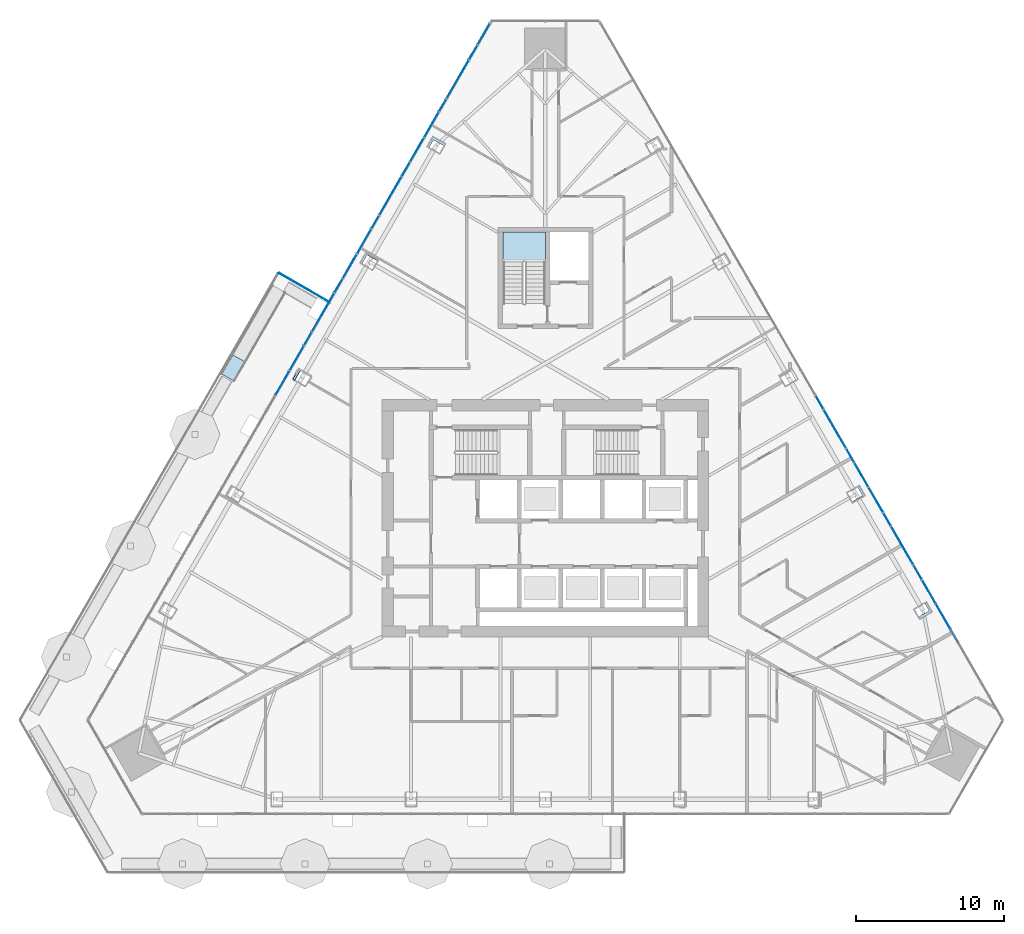
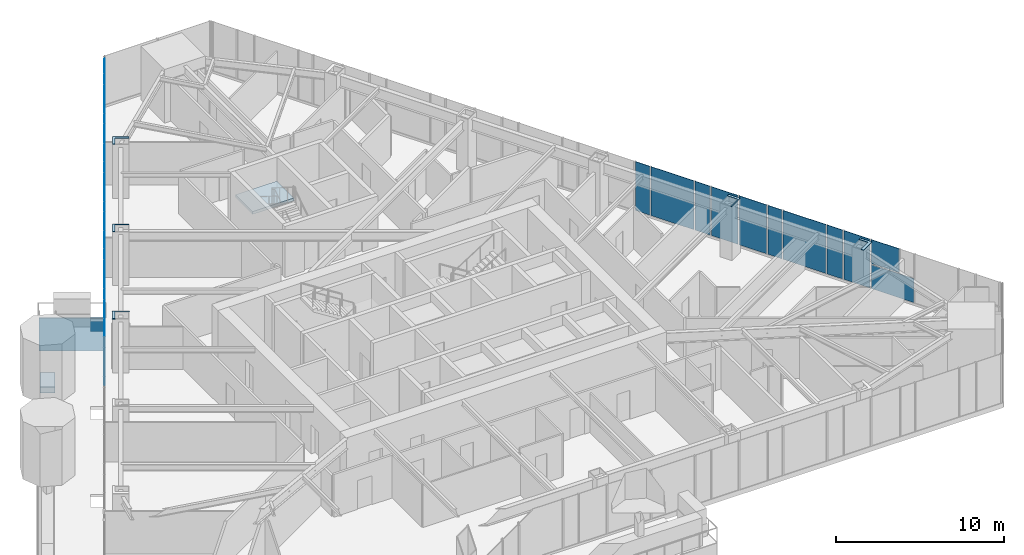
# One storey, part 21 of 32: 33 plates, 2 slabs, 3 elements without a shape of their own.
"""IFC4 building model written with IfcOpenShell, lengths in metres."""

from ifc_helpers import new_model, si_unit, direction, frame, origin, place, context, subcontext, project, spatial, polyline, outline, extrude, material, layer, layer_set, type_object, element, aggregate, save


model = new_model("IFC4")

# Units and contexts
model_context = context("Model", 3, precision=1e-05, world=origin(), true_north=direction((0.0, 1.0)))
body_context = subcontext(model_context, "Body", "Model", "MODEL_VIEW")
ifc_project = project(units=[si_unit("LENGTHUNIT", "METRE"), si_unit("AREAUNIT", "SQUARE_METRE"), si_unit("VOLUMEUNIT", "CUBIC_METRE"), si_unit("PLANEANGLEUNIT", "RADIAN"), si_unit("MASSUNIT", "GRAM", prefix="KILO")], contexts=[model_context])

# Site, building, storey
site_placement = place(None, origin())
site = spatial("IfcSite", under=ifc_project, at=site_placement, CompositionType="ELEMENT")
building_placement = place(site_placement, origin())
building = spatial("IfcBuilding", under=site, at=building_placement, Name="Firuza Gate Tower and Library", CompositionType="ELEMENT")
storey_placement = place(building_placement, frame((0.0, 0.0, 163.60009765625)))
storey = spatial("IfcBuildingStorey", under=building, at=storey_placement, Name="L37", CompositionType="ELEMENT", Elevation=163.60009765625)

# Plates
ifc_material_1 = material(Name="Steel S355", Category="steel")
ifc_layer_1 = layer(ifc_material_1, 0.030029296875)
ifc_layer_set_1 = layer_set([ifc_layer_1], Name="Column infill plate 30 Steel S355")
plate_type_1 = type_object("IfcPlateType", Name="Column infill plate 30 Steel S355", PredefinedType="SHEET", material=ifc_layer_set_1)
placement_1 = place(storey_placement, frame((0.0, 0.0, 3.89990234375)))
element("IfcPlate", 1, at=placement_1, inside=storey, type_object=plate_type_1, Name="Infill plate L37:E1", PredefinedType="SHEET", context=body_context, shape_type="SweptSolid", body=[
    extrude(outline(polyline([(100.6884765625, 69.3837890625), (100.550537109375, 69.30419921875), (100.8583984375, 68.770751953125), (100.13037109375, 68.3505859375), (100.222412109375, 68.191162109375), (101.088623046875, 68.691162109375), (100.6884765625, 69.3837890625)])), origin(), (0.0, 0.0, 1.0), 0.030029296875),
])
element("IfcPlate", 2, at=placement_1, inside=storey, type_object=plate_type_1, Name="Infill plate L37:E2", PredefinedType="SHEET", context=body_context, shape_type="SweptSolid", body=[
    extrude(outline(polyline([(96.16162109375, 77.224853515625), (96.0234375, 77.145263671875), (96.37744140625, 76.531982421875), (95.6494140625, 76.11181640625), (95.695556640625, 76.031982421875), (96.5615234375, 76.531982421875), (96.16162109375, 77.224853515625)])), origin(), (0.0, 0.0, 1.0), 0.030029296875),
])
element("IfcPlate", 3, at=placement_1, inside=storey, type_object=plate_type_1, Name="Infill plate L37:W1", PredefinedType="SHEET", context=body_context, shape_type="SweptSolid", body=[
    extrude(outline(polyline([(67.01953125, 100.054931640625), (67.157470703125, 99.975341796875), (67.46533203125, 100.508544921875), (68.193359375, 100.08837890625), (68.285400390625, 100.247802734375), (67.41943359375, 100.747802734375), (67.01953125, 100.054931640625)])), origin(), (0.0, 0.0, 1.0), 0.030029296875),
])
element("IfcPlate", 4, at=placement_1, inside=storey, type_object=plate_type_1, Name="Infill plate L37:W2", PredefinedType="SHEET", context=body_context, shape_type="SweptSolid", body=[
    extrude(outline(polyline([(62.492431640625, 92.214111328125), (62.630615234375, 92.13427734375), (62.984375, 92.747314453125), (63.71240234375, 92.3271484375), (63.758544921875, 92.40673828125), (62.892333984375, 92.90673828125), (62.492431640625, 92.214111328125)])), origin(), (0.0, 0.0, 1.0), 0.030029296875),
])
element("IfcPlate", 5, at=placement_1, inside=storey, type_object=plate_type_1, Name="Infill plate L37:W3", PredefinedType="SHEET", context=body_context, shape_type="SweptSolid", body=[
    extrude(outline(polyline([(57.96533203125, 84.373046875), (58.103515625, 84.293212890625), (58.50341796875, 84.986083984375), (59.2314453125, 84.56591796875), (59.2314453125, 84.56591796875), (58.365478515625, 85.06591796875), (57.96533203125, 84.373046875)])), origin(), (0.0, 0.0, 1.0), 0.030029296875),
])

# Curtain wall, plates
ifc_material_2 = material(Name="Aluminium 6063-T6", Category="aluminium")
ifc_layer_2 = layer(ifc_material_2, 0.14990234375)
ifc_layer_set_2 = layer_set([ifc_layer_2], Name="Unitised curtain wall, hotel")
curtain_wall_type = type_object("IfcCurtainWallType", Name="Unitised curtain wall, hotel", PredefinedType="NOTDEFINED", material=ifc_layer_set_2)
placement_2 = place(storey_placement, origin())
curtain_wall_1 = element("IfcCurtainWall", 6, at=placement_2, inside=storey, type_object=curtain_wall_type, Name="CW2 L37 E face", PredefinedType="NOTDEFINED")
ifc_material_3 = material(Name="Fritted glass", Category="glass")
ifc_layer_3 = layer(ifc_material_3, 0.030029296875)
ifc_layer_set_3 = layer_set([ifc_layer_3], Name="Fritted glass unit, hotel")
plate_type_2 = type_object("IfcPlateType", Name="Fritted glass unit, hotel", PredefinedType="CURTAIN_PANEL", material=ifc_layer_set_3)
plate_6_placement = place(storey_placement, frame((102.818603515625, 66.67431640625, 0.14990234375), z_axis=(0.866059869764, 0.499940298419, 0.0), x_axis=(-0.499940298419, 0.866059869764, 0.0)))
plate_6 = element("IfcPlate", 7, at=plate_6_placement, type_object=plate_type_2, Name="Glass unit", PredefinedType="CURTAIN_PANEL", context=body_context, shape_type="SweptSolid", body=[
    extrude(outline(polyline([(0.0, 0.0), (2.942734184264118, 0.0), (2.942734184264118, 1.735107421875), (0.0, 1.735107421875), (0.0, 0.0)])), origin(), (0.0, 0.0, -1.0), 0.030029296875),
])
plate_7_placement = place(storey_placement, frame((102.3095703125, 67.55615234375, 1.96484375), z_axis=(0.86605672853, 0.499945740023, 0.0), x_axis=(-0.499945740023, 0.86605672853, 0.0)))
plate_7 = element("IfcPlate", 8, at=plate_7_placement, type_object=plate_type_2, Name="Glass unit", PredefinedType="CURTAIN_PANEL", context=body_context, shape_type="SweptSolid", body=[
    extrude(outline(polyline([(0.0, 0.0), (1.9245252556415973, 0.0), (1.9245252556415973, 1.735107421875), (0.0, 1.735107421875), (0.0, 0.0)])), origin(), (0.0, 0.0, -1.0), 0.030029296875),
])
plate_8_placement = place(storey_placement, frame((101.307373046875, 69.292236328125, 0.14990234375), z_axis=(0.866020546064, 0.500008413725, 0.0), x_axis=(-0.500008413725, 0.866020546064, 0.0)))
plate_8 = element("IfcPlate", 9, at=plate_8_placement, type_object=plate_type_2, Name="Glass unit", PredefinedType="CURTAIN_PANEL", context=body_context, shape_type="SweptSolid", body=[
    extrude(outline(polyline([(0.0, 0.0), (1.7983095827852928, 0.0), (1.7983095827852928, 3.550048828125), (0.0, 3.550048828125), (0.0, 0.0)])), origin(), (0.0, 0.0, -1.0), 0.030029296875),
])
plate_9_placement = place(storey_placement, frame((97.759521484375, 75.436767578125, 0.14990234375), z_axis=(0.866108284413, 0.499856419056, 0.0), x_axis=(-0.499856419056, 0.866108284413, 0.0)))
plate_9 = element("IfcPlate", 10, at=plate_9_placement, type_object=plate_type_2, Name="Glass unit", PredefinedType="CURTAIN_PANEL", context=body_context, shape_type="SweptSolid", body=[
    extrude(outline(polyline([(0.0, 0.0), (1.8931217574163899, 0.0), (1.8931217574163899, 3.550048828125), (0.0, 3.550048828125), (0.0, 0.0)])), origin(), (0.0, 0.0, -1.0), 0.030029296875),
])
plate_10_placement = place(storey_placement, frame((96.773193359375, 77.1455078125, 0.14990234375), z_axis=(0.866001173587, 0.500041965584, 0.0), x_axis=(-0.500041965584, 0.866001173587, 0.0)))
plate_10 = element("IfcPlate", 11, at=plate_10_placement, type_object=plate_type_2, Name="Glass unit", PredefinedType="CURTAIN_PANEL", context=body_context, shape_type="SweptSolid", body=[
    extrude(outline(polyline([(0.0, 0.0), (1.82992453729618, 0.0), (1.82992453729618, 3.550048828125), (0.0, 3.550048828125), (0.0, 0.0)])), origin(), (0.0, 0.0, -1.0), 0.030029296875),
])

curtain_wall_2 = element("IfcCurtainWall", 12, at=placement_2, inside=storey, type_object=curtain_wall_type, Name="CW2 L37 W face", PredefinedType="NOTDEFINED")
plate_11_placement = place(storey_placement, frame((71.22705078125, 108.322998046875, 0.14990234375), z_axis=(-0.866077077445, 0.499910487912, 0.0), x_axis=(-0.499910487912, -0.866077077445, 0.0)))
plate_11 = element("IfcPlate", 13, at=plate_11_placement, type_object=plate_type_2, Name="Glass unit", PredefinedType="CURTAIN_PANEL", context=body_context, shape_type="SweptSolid", body=[
    extrude(outline(polyline([(0.0, 0.0), (1.5735238863159609, 0.0), (1.5735238863159609, 3.550048828125), (0.0, 3.550048828125), (0.0, 0.0)])), origin(), (0.0, 0.0, -1.0), 0.030029296875),
])
plate_12_placement = place(storey_placement, frame((67.791748046875, 102.372802734375, 0.14990234375), z_axis=(-0.86605672853, 0.499945740023, 0.0), x_axis=(-0.499945740023, -0.86605672853, 0.0)))
plate_12 = element("IfcPlate", 14, at=plate_12_placement, type_object=plate_type_2, Name="Glass unit", PredefinedType="CURTAIN_PANEL", context=body_context, shape_type="SweptSolid", body=[
    extrude(outline(polyline([(0.0, 0.0), (1.9245252556415973, 0.0), (1.9245252556415973, 3.550048828125), (0.0, 3.550048828125), (0.0, 0.0)])), origin(), (0.0, 0.0, -1.0), 0.030029296875),
])
plate_13_placement = place(storey_placement, frame((66.78955078125, 100.63671875, 0.14990234375), z_axis=(-0.866020546064, 0.500008413725, 0.0), x_axis=(-0.500008413725, -0.866020546064, 0.0)))
plate_13 = element("IfcPlate", 15, at=plate_13_placement, type_object=plate_type_2, Name="Glass unit", PredefinedType="CURTAIN_PANEL", context=body_context, shape_type="SweptSolid", body=[
    extrude(outline(polyline([(0.0, 0.0), (1.7983095827852928, 0.0), (1.7983095827852928, 3.550048828125), (0.0, 3.550048828125), (0.0, 0.0)])), origin(), (0.0, 0.0, -1.0), 0.030029296875),
])
plate_14_placement = place(storey_placement, frame((63.241943359375, 94.491943359375, 0.14990234375), z_axis=(-0.86602021339, 0.50000898992, 0.0), x_axis=(-0.50000898992, -0.86602021339, 0.0)))
plate_14 = element("IfcPlate", 16, at=plate_14_placement, type_object=plate_type_2, Name="Glass unit", PredefinedType="CURTAIN_PANEL", context=body_context, shape_type="SweptSolid", body=[
    extrude(outline(polyline([(0.0, 0.0), (1.893032369831611, 0.0), (1.893032369831611, 3.550048828125001), (0.0, 3.550048828125001), (0.0, 0.0)])), origin(), (0.0, 0.0, -1.0), 0.030029296875),
])
plate_15_placement = place(storey_placement, frame((62.25537109375, 92.783203125, 0.14990234375), z_axis=(-0.866001173587, 0.500041965584, 0.0), x_axis=(-0.500041965584, -0.866001173587, 0.0)))
plate_15 = element("IfcPlate", 17, at=plate_15_placement, type_object=plate_type_2, Name="Glass unit", PredefinedType="CURTAIN_PANEL", context=body_context, shape_type="SweptSolid", body=[
    extrude(outline(polyline([(0.0, 0.0), (1.82992453729618, 0.0), (1.82992453729618, 3.550048828125), (0.0, 3.550048828125), (0.0, 0.0)])), origin(), (0.0, 0.0, -1.0), 0.030029296875),
])
plate_16_placement = place(storey_placement, frame((58.69189453125, 86.611083984375, 0.14990234375), z_axis=(-0.865982457891, 0.500074377092, 0.0), x_axis=(-0.500074377092, -0.865982457891, 0.0)))
plate_16 = element("IfcPlate", 18, at=plate_16_placement, type_object=plate_type_2, Name="Glass unit", PredefinedType="CURTAIN_PANEL", context=body_context, shape_type="SweptSolid", body=[
    extrude(outline(polyline([(0.0, 0.0), (1.8615394944605232, 0.0), (1.8615394944605232, 3.550048828125), (0.0, 3.550048828125), (0.0, 0.0)])), origin(), (0.0, 0.0, -1.0), 0.030029296875),
])
plate_17_placement = place(storey_placement, frame((57.72119140625, 84.9296875, 0.14990234375), z_axis=(-0.865982457891, 0.500074377092, 0.0), x_axis=(-0.500074377092, -0.865982457891, 0.0)))
plate_17 = element("IfcPlate", 19, at=plate_17_placement, type_object=plate_type_2, Name="Glass unit", PredefinedType="CURTAIN_PANEL", context=body_context, shape_type="SweptSolid", body=[
    extrude(outline(polyline([(0.0, 0.0), (1.8615394944605232, 0.0), (1.8615394944605232, 3.550048828125), (0.0, 3.550048828125), (0.0, 0.0)])), origin(), (0.0, 0.0, -1.0), 0.030029296875),
])

# Slab
ifc_material_4 = material(Name="Concrete C40/50", Category="concrete")
ifc_layer_4 = layer(ifc_material_4, 0.449951171875)
ifc_layer_set_4 = layer_set([ifc_layer_4], Name="Garden deck 450")
slab_type_1 = type_object("IfcSlabType", Name="Garden deck 450", PredefinedType="FLOOR", material=ifc_layer_set_4)
element("IfcSlab", 20, at=placement_2, inside=storey, type_object=slab_type_1, Name="Garden deck 4", PredefinedType="FLOOR", context=body_context, shape_type="SweptSolid", body=[
    extrude(outline(polyline([(53.9501953125, 86.018310546875), (53.199462890625, 84.718017578125), (53.978759765625, 84.26806640625), (54.7294921875, 85.568359375), (53.9501953125, 86.018310546875)])), origin(), (0.0, 0.0, 1.0), 0.449951171875),
])

# Plate
ifc_material_5 = material(Name="Glazed ceramic tile")
ifc_layer_5 = layer(ifc_material_5, 0.030029296875)
ifc_layer_set_5 = layer_set([ifc_layer_5], Name="Opaque ceramic panel, hotel")
plate_type_3 = type_object("IfcPlateType", Name="Opaque ceramic panel, hotel", PredefinedType="CURTAIN_PANEL", material=ifc_layer_set_5)
plate_18_placement = place(storey_placement, frame((100.3681640625, 70.918701171875, 0.14990234375), z_axis=(0.866032814021, 0.499987164874, 0.0), x_axis=(-0.499987164874, 0.866032814021, 0.0)))
plate_18 = element("IfcPlate", 21, at=plate_18_placement, type_object=plate_type_3, Name="Opaque ceramic panel", PredefinedType="CURTAIN_PANEL", context=body_context, shape_type="SweptSolid", body=[
    extrude(outline(polyline([(0.0, 0.0), (1.064480450480687, 0.0), (1.064480450480687, 3.550048828125), (0.0, 3.550048828125), (0.0, 0.0)])), origin(), (0.0, 0.0, -1.0), 0.030029296875),
])

plate_19_placement = place(storey_placement, frame((99.7958984375, 71.909912109375, 0.14990234375), z_axis=(0.866023947468, 0.500002522405, 0.0), x_axis=(-0.500002522405, 0.866023947468, 0.0)))
plate_19 = element("IfcPlate", 22, at=plate_19_placement, type_object=plate_type_3, Name="Opaque ceramic panel", PredefinedType="CURTAIN_PANEL", context=body_context, shape_type="SweptSolid", body=[
    extrude(outline(polyline([(0.0, 0.0), (2.942856247596896, 0.0), (2.942856247596896, 3.550048828125), (0.0, 3.550048828125), (0.0, 0.0)])), origin(), (0.0, 0.0, -1.0), 0.030029296875),
])

plate_20_placement = place(storey_placement, frame((98.284423828125, 74.52783203125, 0.14990234375), z_axis=(0.866034661658, 0.49998396455, 0.0), x_axis=(-0.49998396455, 0.866034661658, 0.0)))
plate_20 = element("IfcPlate", 23, at=plate_20_placement, type_object=plate_type_3, Name="Opaque ceramic panel", PredefinedType="CURTAIN_PANEL", context=body_context, shape_type="SweptSolid", body=[
    extrude(outline(polyline([(0.0, 0.0), (0.9697576635008249, 0.0), (0.9697576635008249, 3.550048828125), (0.0, 3.550048828125), (0.0, 0.0)])), origin(), (0.0, 0.0, -1.0), 0.030029296875),
])

plate_21_placement = place(storey_placement, frame((95.818115234375, 78.799560546875, 0.14990234375), z_axis=(0.866067506982, 0.499927068031, 0.0), x_axis=(-0.499927068031, 0.866067506982, 0.0)))
plate_21 = element("IfcPlate", 24, at=plate_21_placement, type_object=plate_type_3, Name="Opaque ceramic panel", PredefinedType="CURTAIN_PANEL", context=body_context, shape_type="SweptSolid", body=[
    extrude(outline(polyline([(0.0, 0.0), (1.0328655015789612, 0.0), (1.0328655015789612, 3.550048828125), (0.0, 3.550048828125), (0.0, 0.0)])), origin(), (0.0, 0.0, -1.0), 0.030029296875),
])

plate_22_placement = place(storey_placement, frame((95.26171875, 79.763427734375, 0.14990234375), z_axis=(0.866023947468, 0.500002522405, 0.0), x_axis=(-0.500002522405, 0.866023947468, 0.0)))
plate_22 = element("IfcPlate", 25, at=plate_22_placement, type_object=plate_type_3, Name="Opaque ceramic panel", PredefinedType="CURTAIN_PANEL", context=body_context, shape_type="SweptSolid", body=[
    extrude(outline(polyline([(0.0, 0.0), (2.942856247596896, 0.0), (2.942856247596896, 3.550048828125), (0.0, 3.550048828125), (0.0, 0.0)])), origin(), (0.0, 0.0, -1.0), 0.030029296875),
])

plate_23_placement = place(storey_placement, frame((93.750244140625, 82.38134765625, 0.14990234375), z_axis=(0.866104386261, 0.499863173377, 0.0), x_axis=(-0.499863173377, 0.866104386261, 0.0)))
plate_23 = element("IfcPlate", 26, at=plate_23_placement, type_object=plate_type_3, Name="Opaque ceramic panel", PredefinedType="CURTAIN_PANEL", context=body_context, shape_type="SweptSolid", body=[
    extrude(outline(polyline([(0.0, 0.0), (1.001250557964803, 0.0), (1.001250557964803, 3.550048828125), (0.0, 3.550048828125), (0.0, 0.0)])), origin(), (0.0, 0.0, -1.0), 0.030029296875),
])

aggregate(curtain_wall_1, [plate_6, plate_7, plate_8, plate_18, plate_19, plate_20, plate_9, plate_10, plate_21, plate_22, plate_23])

plate_24_placement = place(storey_placement, frame((70.400390625, 106.890869140625, 0.14990234375), z_axis=(-0.866000118559, 0.500043792738, 0.0), x_axis=(-0.500043792738, -0.866000118559, 0.0)))
plate_24 = element("IfcPlate", 27, at=plate_24_placement, type_object=plate_type_3, Name="Opaque ceramic panel", PredefinedType="CURTAIN_PANEL", context=body_context, shape_type="SweptSolid", body=[
    extrude(outline(polyline([(0.0, 0.0), (1.0960954042124484, 0.0), (1.0960954042124484, 3.550048828125001), (0.0, 3.550048828125001), (0.0, 0.0)])), origin(), (0.0, 0.0, -1.0), 0.030029296875),
])

plate_25_placement = place(storey_placement, frame((69.812255859375, 105.872314453125, 0.14990234375), z_axis=(-0.866023947468, 0.500002522405, 0.0), x_axis=(-0.500002522405, -0.866023947468, 0.0)))
plate_25 = element("IfcPlate", 28, at=plate_25_placement, type_object=plate_type_3, Name="Opaque ceramic panel", PredefinedType="CURTAIN_PANEL", context=body_context, shape_type="SweptSolid", body=[
    extrude(outline(polyline([(0.0, 0.0), (2.942856247596896, 0.0), (2.942856247596896, 3.550048828125), (0.0, 3.550048828125), (0.0, 0.0)])), origin(), (0.0, 0.0, -1.0), 0.030029296875),
])

plate_26_placement = place(storey_placement, frame((68.301025390625, 103.254638671875, 0.14990234375), z_axis=(-0.865960237857, 0.500112853714, 0.0), x_axis=(-0.500112853714, -0.865960237857, 0.0)))
plate_26 = element("IfcPlate", 29, at=plate_26_placement, type_object=plate_type_3, Name="Opaque ceramic panel", PredefinedType="CURTAIN_PANEL", context=body_context, shape_type="SweptSolid", body=[
    extrude(outline(polyline([(0.0, 0.0), (0.9382647891669249, 0.0), (0.9382647891669249, 3.550048828125), (0.0, 3.550048828125), (0.0, 0.0)])), origin(), (0.0, 0.0, -1.0), 0.030029296875),
])

plate_27_placement = place(storey_placement, frame((65.850341796875, 99.010009765625, 0.14990234375), z_axis=(-0.866032814021, 0.499987164874, 0.0), x_axis=(-0.499987164874, -0.866032814021, 0.0)))
plate_27 = element("IfcPlate", 30, at=plate_27_placement, type_object=plate_type_3, Name="Opaque ceramic panel", PredefinedType="CURTAIN_PANEL", context=body_context, shape_type="SweptSolid", body=[
    extrude(outline(polyline([(0.0, 0.0), (1.064480450480687, 0.0), (1.064480450480687, 3.550048828125), (0.0, 3.550048828125), (0.0, 0.0)])), origin(), (0.0, 0.0, -1.0), 0.030029296875),
])

plate_28_placement = place(storey_placement, frame((65.278076171875, 98.018798828125, 0.14990234375), z_axis=(-0.866003204916, 0.500038447598, 0.0), x_axis=(-0.500038447598, -0.866003204916, 0.0)))
plate_28 = element("IfcPlate", 31, at=plate_28_placement, type_object=plate_type_3, Name="Opaque ceramic panel", PredefinedType="CURTAIN_PANEL", context=body_context, shape_type="SweptSolid", body=[
    extrude(outline(polyline([(0.0, 0.0), (2.9426448185010545, 0.0), (2.9426448185010545, 3.550048828125), (0.0, 3.550048828125), (0.0, 0.0)])), origin(), (0.0, 0.0, -1.0), 0.030029296875),
])

plate_29_placement = place(storey_placement, frame((63.7666015625, 95.401123046875, 0.14990234375), z_axis=(-0.866034661658, 0.49998396455, 0.0), x_axis=(-0.49998396455, -0.866034661658, 0.0)))
plate_29 = element("IfcPlate", 32, at=plate_29_placement, type_object=plate_type_3, Name="Opaque ceramic panel", PredefinedType="CURTAIN_PANEL", context=body_context, shape_type="SweptSolid", body=[
    extrude(outline(polyline([(0.0, 0.0), (0.9697576635008249, 0.0), (0.9697576635008249, 3.550048828125), (0.0, 3.550048828125), (0.0, 0.0)])), origin(), (0.0, 0.0, -1.0), 0.030029296875),
])

plate_30_placement = place(storey_placement, frame((61.30029296875, 91.129150390625, 0.14990234375), z_axis=(-0.866067506982, 0.499927068031, 0.0), x_axis=(-0.499927068031, -0.866067506982, 0.0)))
plate_30 = element("IfcPlate", 33, at=plate_30_placement, type_object=plate_type_3, Name="Opaque ceramic panel", PredefinedType="CURTAIN_PANEL", context=body_context, shape_type="SweptSolid", body=[
    extrude(outline(polyline([(0.0, 0.0), (1.0328655015789612, 0.0), (1.0328655015789612, 3.550048828125), (0.0, 3.550048828125), (0.0, 0.0)])), origin(), (0.0, 0.0, -1.0), 0.030029296875),
])

plate_31_placement = place(storey_placement, frame((60.743896484375, 90.16552734375, 0.14990234375), z_axis=(-0.866023947468, 0.500002522405, 0.0), x_axis=(-0.500002522405, -0.866023947468, 0.0)))
plate_31 = element("IfcPlate", 34, at=plate_31_placement, type_object=plate_type_3, Name="Opaque ceramic panel", PredefinedType="CURTAIN_PANEL", context=body_context, shape_type="SweptSolid", body=[
    extrude(outline(polyline([(0.0, 0.0), (2.942856247596896, 0.0), (2.942856247596896, 3.550048828125), (0.0, 3.550048828125), (0.0, 0.0)])), origin(), (0.0, 0.0, -1.0), 0.030029296875),
])

plate_32_placement = place(storey_placement, frame((59.232421875, 87.547607421875, 0.14990234375), z_axis=(-0.866104386261, 0.499863173377, 0.0), x_axis=(-0.499863173377, -0.866104386261, 0.0)))
plate_32 = element("IfcPlate", 35, at=plate_32_placement, type_object=plate_type_3, Name="Opaque ceramic panel", PredefinedType="CURTAIN_PANEL", context=body_context, shape_type="SweptSolid", body=[
    extrude(outline(polyline([(0.0, 0.0), (1.001250557964803, 0.0), (1.001250557964803, 3.550048828125), (0.0, 3.550048828125), (0.0, 0.0)])), origin(), (0.0, 0.0, -1.0), 0.030029296875),
])

aggregate(curtain_wall_2, [plate_11, plate_24, plate_25, plate_26, plate_12, plate_13, plate_27, plate_28, plate_29, plate_14, plate_15, plate_30, plate_31, plate_32, plate_16, plate_17])

# Stair, slab
ifc_material_6 = material(Name="Concrete C35/45", Category="concrete")
stair_type = type_object("IfcStairType", Name="Exit stair ST16", PredefinedType="HALF_TURN_STAIR", material=ifc_material_6)
stair = element("IfcStair", 36, at=placement_2, inside=storey, type_object=stair_type, Name="L37 Stair ST3", PredefinedType="HALF_TURN_STAIR")
ifc_material_7 = material(Name="Concrete C35/45", Category="concrete")
ifc_layer_6 = layer(ifc_material_7, 0.199951171875)
ifc_layer_set_6 = layer_set([ifc_layer_6], Name="Stair landing 200")
slab_type_2 = type_object("IfcSlabType", Name="Stair landing 200", PredefinedType="LANDING", material=ifc_layer_set_6)
slab_2_placement = place(storey_placement, frame((0.0, 0.0, 1.75)))
slab_2 = element("IfcSlab", 37, at=slab_2_placement, type_object=slab_type_2, Name="ST3 landing 1", PredefinedType="LANDING", context=body_context, shape_type="SweptSolid", body=[
    extrude(outline(polyline([(75.0, 92.27001953125), (75.0, 94.300048828125), (72.159912109375, 94.300048828125), (72.159912109375, 92.27001953125), (75.0, 92.27001953125)])), origin(), (0.0, 0.0, 1.0), 0.199951171875),
])
aggregate(stair, [slab_2])

# Plate
ifc_material_8 = material(Name="Aluminium 6063-T6", Category="aluminium")
ifc_layer_7 = layer(ifc_material_8, 0.050048828125)
ifc_layer_set_7 = layer_set([ifc_layer_7], Name="Tray fascia panel 50")
plate_type_4 = type_object("IfcPlateType", Name="Tray fascia panel 50", PredefinedType="SHEET", material=ifc_layer_set_7)
plate_33_placement = place(storey_placement, frame((60.47607421875, 89.5810546875, -2.400146484375), z_axis=(0.49999779889, 0.866026674592, 0.0), x_axis=(-0.866026674592, 0.49999779889, 0.0)))
element("IfcPlate", 38, at=plate_33_placement, inside=storey, type_object=plate_type_4, Name="Tray fascia L37 8", PredefinedType="SHEET", context=body_context, shape_type="SweptSolid", body=[
    extrude(outline(polyline([(0.0, 0.0), (3.9399587508162695, 0.0), (3.9399587508162695, 2.400146484375), (0.0, 2.400146484375), (0.0, 0.0)])), origin(), (0.0, 0.0, -1.0), 0.050048828125),
])

save(model, "model.ifc")
